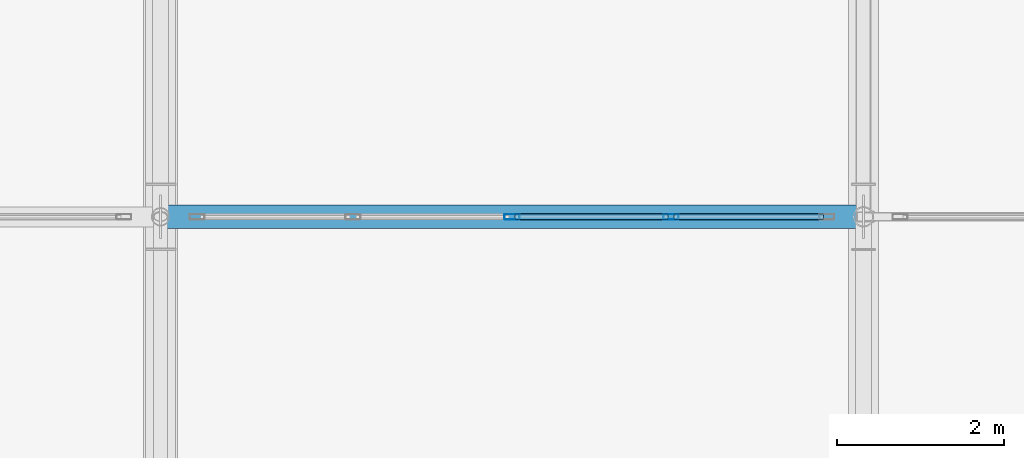
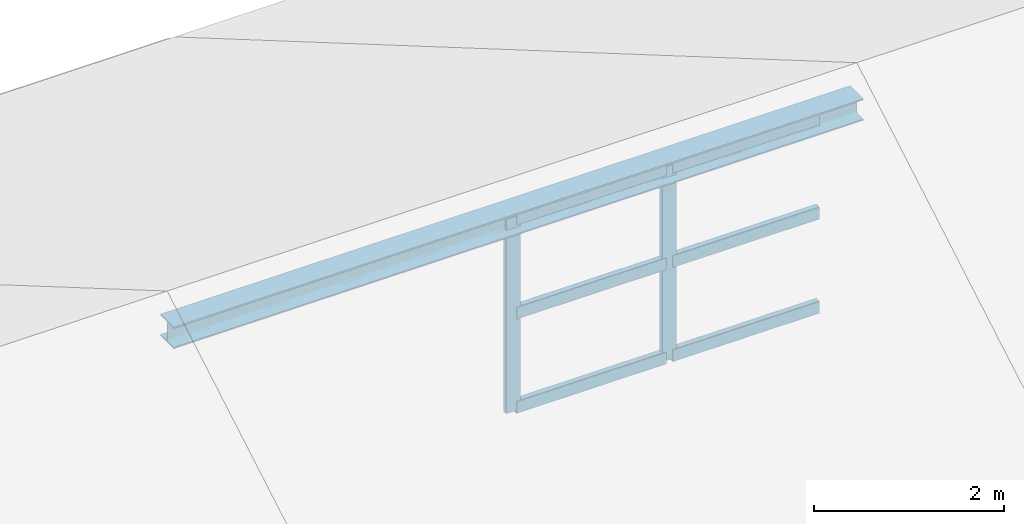
# One storey, part 10 of 54: 9 members, 1 element without a shape of its own.
"""IFC4 building model written with IfcOpenShell, lengths in metres."""

from ifc_helpers import new_model, si_unit, direction, frame, origin, origin_2d, place, context, subcontext, project, spatial, hollow_rectangle, i_section, extrude, material, layer, layer_set, material_profile, profile_set, type_object, element, aggregate, save


model = new_model("IFC4")

# Units and contexts
model_context = context("Model", 3, precision=1e-05, world=origin(), true_north=direction((0.0, 1.0)))
body_context = subcontext(model_context, "Body", "Model", "MODEL_VIEW")
ifc_project = project(units=[si_unit("LENGTHUNIT", "METRE"), si_unit("AREAUNIT", "SQUARE_METRE"), si_unit("VOLUMEUNIT", "CUBIC_METRE"), si_unit("PLANEANGLEUNIT", "RADIAN"), si_unit("MASSUNIT", "GRAM", prefix="KILO")], contexts=[model_context])

# Site, building, storey
site_placement = place(None, origin())
site = spatial("IfcSite", under=ifc_project, at=site_placement, CompositionType="ELEMENT")
building_placement = place(site_placement, origin())
building = spatial("IfcBuilding", under=site, at=building_placement, Name="Zulmaris Art Gallery", CompositionType="ELEMENT")
storey_placement = place(building_placement, frame((0.0, 0.0, 26.39990234375)))
storey = spatial("IfcBuildingStorey", under=building, at=storey_placement, Name="L05", CompositionType="ELEMENT", Elevation=26.39990234375)

# Curtain wall, members
ifc_material_1 = material(Name="Pitched Roof North-Light Clerestory Wall", Category="aluminium")
ifc_layer = layer(ifc_material_1, 0.179931640625)
ifc_layer_set = layer_set([ifc_layer], Name="Pitched Roof North-Light Clerestory Wall")
curtain_wall_type = type_object("IfcCurtainWallType", Name="CW-CW05", PredefinedType="NOTDEFINED", material=ifc_layer_set)
curtain_wall_placement = place(storey_placement, origin())
curtain_wall = element("IfcCurtainWall", 1, at=curtain_wall_placement, inside=storey, type_object=curtain_wall_type, Name="L05 curtain wall 46", PredefinedType="NOTDEFINED")
ifc_material_2 = material(Name="Anodised Bronze Aluminium", Category="aluminium")
ifc_material_profile_1 = material_profile(ifc_material_2, hollow_rectangle(XDim=0.06494140625, YDim=0.179931640625, WallThickness=0.00390625, InnerFilletRadius=0.006103515625, OuterFilletRadius=0.010009765625, at=origin_2d()), Name="ALU 65x180x4")
ifc_profile_set_1 = profile_set([ifc_material_profile_1], Name="Anodised Bronze Aluminium")
member_type_1 = type_object("IfcMemberType", Name="CWMUL-01", PredefinedType="MULLION", material=ifc_profile_set_1)
member_1_placement = place(storey_placement, frame((36.60009765625, 36.0, 5.400146484375), z_axis=(0.0, 0.0, 1.0), x_axis=(0.0, 1.0, 0.0)))
member_1 = element("IfcMember", 2, at=member_1_placement, type_object=member_type_1, Name="CW05 mullion 3", PredefinedType="MULLION", context=body_context, shape_type="SweptSolid", body=[
    extrude(hollow_rectangle(XDim=0.06494140625, YDim=0.179931640625, WallThickness=0.00390625, InnerFilletRadius=0.006103515625, OuterFilletRadius=0.010009765625, at=origin_2d()), origin(), (0.0, 0.0, 1.0), 2.5),
])
member_2_placement = place(storey_placement, frame((38.5, 36.0, 5.400146484375), z_axis=(0.0, 0.0, 1.0), x_axis=(0.0, 1.0, 0.0)))
member_2 = element("IfcMember", 3, at=member_2_placement, type_object=member_type_1, Name="CW05 mullion 4", PredefinedType="MULLION", context=body_context, shape_type="SweptSolid", body=[
    extrude(hollow_rectangle(XDim=0.06494140625, YDim=0.179931640625, WallThickness=0.00390625, InnerFilletRadius=0.006103515625, OuterFilletRadius=0.010009765625, at=origin_2d()), origin(), (0.0, 0.0, 1.0), 2.5),
])
ifc_material_profile_2 = material_profile(ifc_material_2, hollow_rectangle(XDim=0.074951171875, YDim=0.159912109375, WallThickness=0.00390625, InnerFilletRadius=0.006103515625, OuterFilletRadius=0.010009765625, at=origin_2d()), Name="ALU 75x160x4")
ifc_profile_set_2 = profile_set([ifc_material_profile_2], Name="Anodised Bronze Aluminium")
member_type_2 = type_object("IfcMemberType", Name="CWTRN-02", PredefinedType="USERDEFINED", material=ifc_profile_set_2)
member_3_placement = place(storey_placement, frame((36.637451171875, 36.0, 5.4375), z_axis=(1.0, 0.0, 0.0), x_axis=(0.0, 1.0, 0.0)))
member_3 = element("IfcMember", 4, at=member_3_placement, type_object=member_type_2, Name="CW05 transom 3.1", ObjectType="TRANSOM", PredefinedType="USERDEFINED", context=body_context, shape_type="SweptSolid", body=[
    extrude(hollow_rectangle(XDim=0.074951171875, YDim=0.159912109375, WallThickness=0.00390625, InnerFilletRadius=0.006103515625, OuterFilletRadius=0.010009765625, at=origin_2d()), origin(), (0.0, 0.0, 1.0), 1.824951171875),
])
member_4_placement = place(storey_placement, frame((36.637451171875, 36.0, 6.650146484375), z_axis=(1.0, 0.0, 0.0), x_axis=(0.0, 1.0, 0.0)))
member_4 = element("IfcMember", 5, at=member_4_placement, type_object=member_type_2, Name="CW05 transom 3.2", ObjectType="TRANSOM", PredefinedType="USERDEFINED", context=body_context, shape_type="SweptSolid", body=[
    extrude(hollow_rectangle(XDim=0.074951171875, YDim=0.159912109375, WallThickness=0.00390625, InnerFilletRadius=0.006103515625, OuterFilletRadius=0.010009765625, at=origin_2d()), origin(), (0.0, 0.0, 1.0), 1.824951171875),
])
member_5_placement = place(storey_placement, frame((36.637451171875, 36.0, 7.862548828125), z_axis=(1.0, 0.0, 0.0), x_axis=(0.0, 1.0, 0.0)))
member_5 = element("IfcMember", 6, at=member_5_placement, type_object=member_type_2, Name="CW05 transom 3.3", ObjectType="TRANSOM", PredefinedType="USERDEFINED", context=body_context, shape_type="SweptSolid", body=[
    extrude(hollow_rectangle(XDim=0.074951171875, YDim=0.159912109375, WallThickness=0.00390625, InnerFilletRadius=0.006103515625, OuterFilletRadius=0.010009765625, at=origin_2d()), origin(), (0.0, 0.0, 1.0), 1.824951171875),
])
member_6_placement = place(storey_placement, frame((38.53759765625, 36.0, 5.4375), z_axis=(1.0, 0.0, 0.0), x_axis=(0.0, 1.0, 0.0)))
member_6 = element("IfcMember", 7, at=member_6_placement, type_object=member_type_2, Name="CW05 transom 4.1", ObjectType="TRANSOM", PredefinedType="USERDEFINED", context=body_context, shape_type="SweptSolid", body=[
    extrude(hollow_rectangle(XDim=0.074951171875, YDim=0.159912109375, WallThickness=0.00390625, InnerFilletRadius=0.006103515625, OuterFilletRadius=0.010009765625, at=origin_2d()), origin(), (0.0, 0.0, 1.0), 1.787353515625),
])
member_7_placement = place(storey_placement, frame((38.53759765625, 36.0, 6.650146484375), z_axis=(1.0, 0.0, 0.0), x_axis=(0.0, 1.0, 0.0)))
member_7 = element("IfcMember", 8, at=member_7_placement, type_object=member_type_2, Name="CW05 transom 4.2", ObjectType="TRANSOM", PredefinedType="USERDEFINED", context=body_context, shape_type="SweptSolid", body=[
    extrude(hollow_rectangle(XDim=0.074951171875, YDim=0.159912109375, WallThickness=0.00390625, InnerFilletRadius=0.006103515625, OuterFilletRadius=0.010009765625, at=origin_2d()), origin(), (0.0, 0.0, 1.0), 1.787353515625),
])
member_8_placement = place(storey_placement, frame((38.53759765625, 36.0, 7.862548828125), z_axis=(1.0, 0.0, 0.0), x_axis=(0.0, 1.0, 0.0)))
member_8 = element("IfcMember", 9, at=member_8_placement, type_object=member_type_2, Name="CW05 transom 4.3", ObjectType="TRANSOM", PredefinedType="USERDEFINED", context=body_context, shape_type="SweptSolid", body=[
    extrude(hollow_rectangle(XDim=0.074951171875, YDim=0.159912109375, WallThickness=0.00390625, InnerFilletRadius=0.006103515625, OuterFilletRadius=0.010009765625, at=origin_2d()), origin(), (0.0, 0.0, 1.0), 1.787353515625),
])
aggregate(curtain_wall, [member_1, member_2, member_3, member_4, member_5, member_6, member_7, member_8])

# Member
ifc_material_3 = material(Name="Steel S355J2", Category="steel")
ifc_material_profile_3 = material_profile(ifc_material_3, i_section(OverallWidth=0.280029296875, OverallDepth=0.280029296875, WebThickness=0.010498046875, FlangeThickness=0.01806640625, FilletRadius=0.02392578125, at=origin_2d()), Name="HEB 280")
ifc_profile_set_3 = profile_set([ifc_material_profile_3], Name="Steel S355J2")
member_type_3 = type_object("IfcMemberType", Name="MEM-PR06", PredefinedType="PURLIN", material=ifc_profile_set_3)
member_9_placement = place(storey_placement, frame((32.39990234375, 36.0, 7.880126953125), z_axis=(1.0, 0.0, 0.0), x_axis=(0.0, 1.0, 0.0)))
element("IfcMember", 10, at=member_9_placement, inside=storey, type_object=member_type_3, Name="Skylight roof purlin bay 4 line 3", PredefinedType="PURLIN", context=body_context, shape_type="SweptSolid", body=[
    extrude(i_section(OverallWidth=0.280029296875, OverallDepth=0.280029296875, WebThickness=0.010498046875, FlangeThickness=0.01806640625, FilletRadius=0.02392578125, at=origin_2d()), origin(), (0.0, 0.0, 1.0), 8.400146484375),
])

save(model, "model.ifc")
